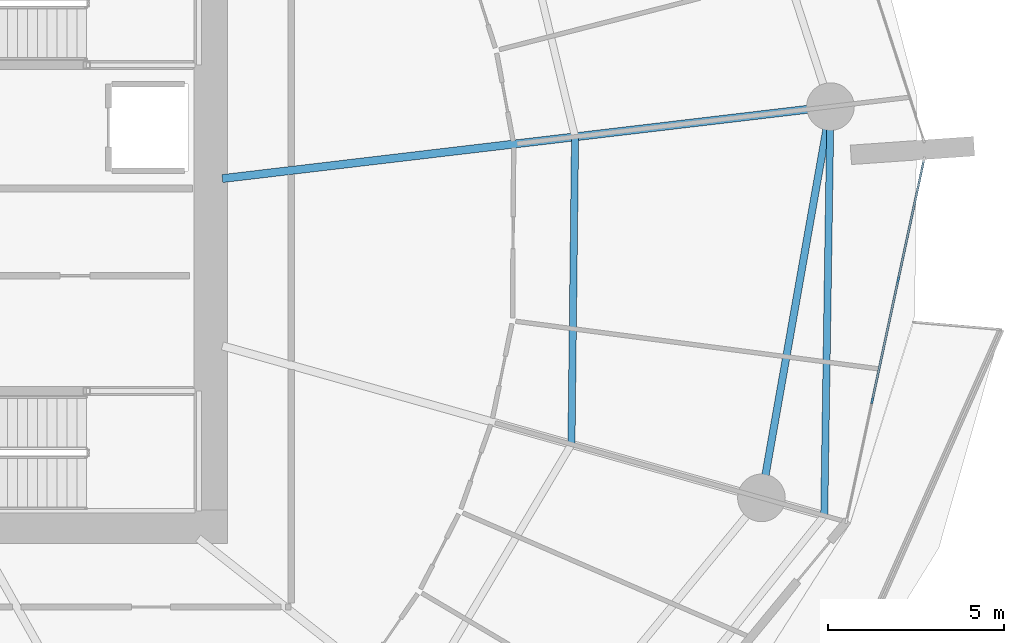
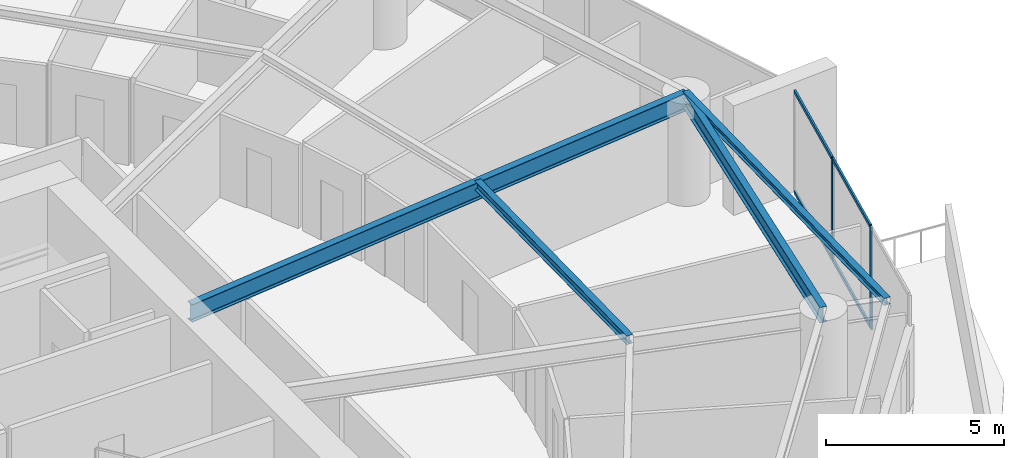
# One storey, part 11 of 31: 6 members, 4 beams, 1 element without a shape of its own.
"""IFC4 building model written with IfcOpenShell, lengths in metres."""

import ifcopenshell
import ifcopenshell.guid

model = None  # the IFC model being written
_history = None  # IfcOwnerHistory: only IFC2X3 demands one
_inside = {}  # id of a spatial element -> (the spatial element, [elements in it])
_under = {}  # id of a project, library or spatial element -> (it, [spatial elements below it])
_declared = {}  # id of a project -> (the project, [libraries it declares])
_typed = {}  # id of a type object -> (the type object, [elements of that type])
_made_of = {}  # id of a material, layer set ... -> (it, [elements and type objects made of it])


def new_model(schema):
    """Start an empty IFC model of exactly this schema.

    Asked for "IFC4X3", IfcOpenShell would pick the latest addendum, in which some entities
    have other attributes; the version numbers below select the first issue.
    IFC2X3 requires an IfcOwnerHistory on every rooted entity: one is made here for all.
    """
    global model, _history
    if schema == "IFC4X3":
        model = ifcopenshell.file(schema_version=(4, 3, 0, 0))
    else:
        model = ifcopenshell.file(schema=schema)
    _inside.clear()
    _under.clear()
    _declared.clear()
    _typed.clear()
    _made_of.clear()
    _history = None
    if model.schema == "IFC2X3":
        org = make("IfcOrganization", Name="unknown")
        user = make(
            "IfcPersonAndOrganization",
            ThePerson=make("IfcPerson", FamilyName="unknown"),
            TheOrganization=org,
        )
        app = make(
            "IfcApplication",
            ApplicationDeveloper=org,
            Version="unknown",
            ApplicationFullName="unknown",
            ApplicationIdentifier="unknown",
        )
        _history = make(
            "IfcOwnerHistory",
            OwningUser=user,
            OwningApplication=app,
            ChangeAction="ADDED",
            CreationDate=0,
        )
    return model


def make(cls, **values):
    """One entity of the class cls with the attributes given. An attribute that is None is left unset."""
    return model.create_entity(
        cls, **{name: value for name, value in values.items() if value is not None}
    )


def rooted(cls, **values):
    """An entity with a GlobalId (a new one), such as an element, a storey or a relation."""
    return make(cls, GlobalId=ifcopenshell.guid.new(), OwnerHistory=_history, **values)


def si_unit(unit_type, name, prefix=None):
    """IfcSIUnit, for example si_unit("LENGTHUNIT", "METRE", prefix="MILLI")."""
    return make("IfcSIUnit", UnitType=unit_type, Prefix=prefix, Name=name)


def assignment(units):
    """IfcUnitAssignment: the units of a project."""
    return None if units is None else make("IfcUnitAssignment", Units=units)


def point(xyz):
    """IfcCartesianPoint."""
    return None if xyz is None else make("IfcCartesianPoint", Coordinates=xyz)


def direction(xyz):
    """IfcDirection."""
    return None if xyz is None else make("IfcDirection", DirectionRatios=xyz)


def frame(location, z_axis=None, x_axis=None):
    """IfcAxis2Placement3D, a coordinate frame: its origin and axes. An axis left out is left unset."""
    return make(
        "IfcAxis2Placement3D",
        Location=point(location),
        Axis=direction(z_axis),
        RefDirection=direction(x_axis),
    )


def frame_2d(location, x_axis=None):
    """IfcAxis2Placement2D, a coordinate frame in the plane: its origin and x axis."""
    return make(
        "IfcAxis2Placement2D", Location=point(location), RefDirection=direction(x_axis)
    )


def origin():
    """The frame at (0, 0, 0) with its axes left unset."""
    return frame((0.0, 0.0, 0.0))


def origin_2d():
    """The frame at (0, 0) in the plane with its x axis left unset."""
    return frame_2d((0.0, 0.0))


def place(relative_to, where):
    """IfcLocalPlacement: puts the frame where relative to a parent placement (None: the world)."""
    return make(
        "IfcLocalPlacement", PlacementRelTo=relative_to, RelativePlacement=where
    )


def context(
    kind, dimensions, precision=None, world=None, true_north=None, identifier=None
):
    """IfcGeometricRepresentationContext, for example the 3D "Model" context."""
    return make(
        "IfcGeometricRepresentationContext",
        ContextIdentifier=identifier,
        ContextType=kind,
        CoordinateSpaceDimension=dimensions,
        Precision=precision,
        WorldCoordinateSystem=world,
        TrueNorth=true_north,
    )


def subcontext(parent, identifier, kind, view, scale=None):
    """IfcGeometricRepresentationSubContext, for example "Body" below "Model"."""
    return make(
        "IfcGeometricRepresentationSubContext",
        ContextIdentifier=identifier,
        ContextType=kind,
        ParentContext=parent,
        TargetScale=scale,
        TargetView=view,
    )


def project(units=None, contexts=None):
    """IfcProject with its units and contexts."""
    return rooted(
        "IfcProject",
        Name="project",
        RepresentationContexts=contexts,
        UnitsInContext=assignment(units),
    )


def spatial(cls, under=None, at=None, **own):
    """A site, building, storey or space (cls), placed at a placement, below another one or the project."""
    s = rooted(cls, ObjectPlacement=at, **own)
    if under is not None:
        _under.setdefault(under.id(), (under, []))[1].append(s)
    return s


def profile(cls, at=None, kind="AREA", **sizes):
    """A parametric profile (cls). Its sizes go by their IFC names, for example OverallWidth=200.0."""
    return make(cls, ProfileType=kind, Position=at, **sizes)


def rectangle(**sizes):
    """IfcRectangleProfileDef."""
    return profile("IfcRectangleProfileDef", **sizes)


def i_section(**sizes):
    """IfcIShapeProfileDef."""
    return profile("IfcIShapeProfileDef", **sizes)


def extrude(swept, where, along, depth):
    """IfcExtrudedAreaSolid: the profile swept, set in the frame where, extruded along a direction by depth."""
    return make(
        "IfcExtrudedAreaSolid",
        SweptArea=swept,
        Position=where,
        ExtrudedDirection=direction(along),
        Depth=depth,
    )


def shape(context_of_items, identifier, shape_type, items):
    """IfcShapeRepresentation: the items that make up one representation, for example the "Body"."""
    return make(
        "IfcShapeRepresentation",
        ContextOfItems=context_of_items,
        RepresentationIdentifier=identifier,
        RepresentationType=shape_type,
        Items=items,
    )


def material(Name=None, Category=None):
    """IfcMaterial."""
    return make("IfcMaterial", Name=Name, Category=Category)


def layer(
    of_material, thickness, ventilated=None, Name=None, Category=None, Priority=None
):
    """IfcMaterialLayer: one layer of a wall or slab, of a material (None: an air gap)."""
    return make(
        "IfcMaterialLayer",
        Material=of_material,
        LayerThickness=thickness,
        IsVentilated=ventilated,
        Name=Name,
        Category=Category,
        Priority=Priority,
    )


def layer_set(layers, Name=None):
    """IfcMaterialLayerSet."""
    return make("IfcMaterialLayerSet", MaterialLayers=layers, LayerSetName=Name)


def material_profile(
    of_material, cross_section, Name=None, Category=None, Priority=None
):
    """IfcMaterialProfile: a cross section and its material."""
    return make(
        "IfcMaterialProfile",
        Name=Name,
        Material=of_material,
        Profile=cross_section,
        Priority=Priority,
        Category=Category,
    )


def profile_set(profiles, Name=None, composite=None):
    """IfcMaterialProfileSet."""
    return make(
        "IfcMaterialProfileSet",
        Name=Name,
        MaterialProfiles=profiles,
        CompositeProfile=composite,
    )


def made_of(thing, what):
    """Note that an element or type object is made of a material, layer set ...; save() writes the relation."""
    if what is not None:
        _made_of.setdefault(what.id(), (what, []))[1].append(thing)
    return thing


def type_object(cls, material=None, **own):
    """A type object (cls), such as IfcWallType, which elements share."""
    return made_of(rooted(cls, **own), material)


def element(
    cls,
    number,
    at=None,
    inside=None,
    cuts=None,
    type_object=None,
    material=None,
    context=None,
    identifier="Body",
    shape_type=None,
    held_by="IfcProductDefinitionShape",
    body=None,
    shapes=None,
    **own,
):
    """One element of the class cls, such as IfcWall. Its Tag is "e" and its number.

    at: its placement. inside: the storey or other place that contains it. cuts: it is an
    opening in that element (IfcRelVoidsElement). A single representation is given by context,
    identifier, shape_type and body (its items); several are given by shapes. held_by: the class
    of the entity that holds the representations. save() writes the other relations.
    """
    e = rooted(cls, Tag="e%d" % number, ObjectPlacement=at, **own)
    if body is not None:
        shapes = [shape(context, identifier, shape_type, body)]
    if shapes is not None:
        e.Representation = make(held_by, Representations=shapes)
    if inside is not None:
        _inside.setdefault(inside.id(), (inside, []))[1].append(e)
    if cuts is not None:
        rooted(
            "IfcRelVoidsElement", RelatingBuildingElement=cuts, RelatedOpeningElement=e
        )
    if type_object is not None:
        _typed.setdefault(type_object.id(), (type_object, []))[1].append(e)
    return made_of(e, material)


def aggregate(whole, parts):
    """IfcRelAggregates: a whole, such as a stair, and the parts it consists of."""
    return rooted("IfcRelAggregates", RelatingObject=whole, RelatedObjects=parts)


def save(model, path):
    """Write the relations noted so far, then the file.

    IfcRelAggregates (storeys below a building ...), IfcRelContainedInSpatialStructure (elements
    in a storey), IfcRelDefinesByType, IfcRelAssociatesMaterial and IfcRelDeclares: one each for
    every whole, place, type object, material and project.
    """
    for whole, parts in _under.values():
        aggregate(whole, parts)
    for where, things in _inside.values():
        rooted(
            "IfcRelContainedInSpatialStructure",
            RelatedElements=things,
            RelatingStructure=where,
        )
    for kind, things in _typed.values():
        rooted("IfcRelDefinesByType", RelatedObjects=things, RelatingType=kind)
    for what, things in _made_of.values():
        rooted("IfcRelAssociatesMaterial", RelatedObjects=things, RelatingMaterial=what)
    for by, libraries in _declared.values():
        rooted("IfcRelDeclares", RelatingContext=by, RelatedDefinitions=libraries)
    model.write(path)


model = new_model("IFC4")

# Units and contexts
model_context = context("Model", 3, precision=1e-05, world=origin(), true_north=direction((0.0, 1.0)))
body_context = subcontext(model_context, "Body", "Model", "MODEL_VIEW")
ifc_project = project(units=[si_unit("LENGTHUNIT", "METRE"), si_unit("AREAUNIT", "SQUARE_METRE"), si_unit("VOLUMEUNIT", "CUBIC_METRE"), si_unit("PLANEANGLEUNIT", "RADIAN"), si_unit("MASSUNIT", "GRAM", prefix="KILO")], contexts=[model_context])

# Site, building, storey
site_placement = place(None, origin())
site = spatial("IfcSite", under=ifc_project, at=site_placement, CompositionType="ELEMENT")
building_placement = place(site_placement, origin())
building = spatial("IfcBuilding", under=site, at=building_placement, Name="Kazma Halo Residences", CompositionType="ELEMENT")
storey_placement = place(building_placement, frame((0.0, 0.0, 30.14990234375)))
storey = spatial("IfcBuildingStorey", under=building, at=storey_placement, Name="L06", CompositionType="ELEMENT", Elevation=30.14990234375)

# Beams
ifc_material_1 = material(Name="Steel S355", Category="steel")
ifc_material_profile_1 = material_profile(ifc_material_1, i_section(OverallWidth=0.201904296875, OverallDepth=0.2470703125, WebThickness=0.00732421875, FlangeThickness=0.010986328125, FilletRadius=0.011962890625, at=origin_2d()), Name="W250x49.1")
ifc_profile_set_1 = profile_set([ifc_material_profile_1], Name="Steel S355")
beam_type_1 = type_object("IfcBeamType", Name="BM-BAL-CANT", PredefinedType="BEAM", material=ifc_profile_set_1)
beam_1_placement = place(storey_placement, frame((76.92138671875, 33.84326171875, 3.376708984375), z_axis=(0.015213846033, 0.999884262747, 0.0), x_axis=(-0.999884262747, 0.015213846033, 0.0)))
element("IfcBeam", 1, at=beam_1_placement, inside=storey, type_object=beam_type_1, Name="L06 wave-balcony tie beam 15", PredefinedType="BEAM", context=body_context, shape_type="SweptSolid", body=[
    extrude(i_section(OverallWidth=0.201904296875, OverallDepth=0.2470703125, WebThickness=0.00732421875, FlangeThickness=0.010986328125, FilletRadius=0.011962890625, at=origin_2d()), origin(), (0.0, 0.0, 1.0), 11.602294921875),
])
ifc_material_profile_2 = material_profile(ifc_material_1, i_section(OverallWidth=0.22802734375, OverallDepth=0.60791015625, WebThickness=0.01123046875, FlangeThickness=0.017333984375, FilletRadius=0.01806640625, at=origin_2d()), Name="W610x113")
ifc_profile_set_2 = profile_set([ifc_material_profile_2], Name="Steel S355")
beam_type_2 = type_object("IfcBeamType", Name="BM-RAD-W610", PredefinedType="BEAM", material=ifc_profile_set_2)
beam_2_placement = place(storey_placement, frame((59.85009765625, 43.402587890625, 3.196044921875), z_axis=(0.993067839154, 0.117542617111, 0.0), x_axis=(-0.117542617111, 0.993067839154, 0.0)))
element("IfcBeam", 2, at=beam_2_placement, inside=storey, type_object=beam_type_2, Name="L06 radial floor beam 16", PredefinedType="BEAM", context=body_context, shape_type="SweptSolid", body=[
    extrude(i_section(OverallWidth=0.22802734375, OverallDepth=0.60791015625, WebThickness=0.01123046875, FlangeThickness=0.017333984375, FilletRadius=0.01806640625, at=origin_2d()), origin(), (0.0, 0.0, 1.0), 17.3681640625),
])
ifc_material_profile_3 = material_profile(ifc_material_1, i_section(OverallWidth=0.202880859375, OverallDepth=0.302978515625, WebThickness=0.007568359375, FlangeThickness=0.01318359375, FilletRadius=0.013916015625, at=origin_2d()), Name="W310x60")
ifc_profile_set_3 = profile_set([ifc_material_profile_3], Name="Steel S355")
beam_type_3 = type_object("IfcBeamType", Name="BM-SEC-W310A", PredefinedType="JOIST", material=ifc_profile_set_3)
beam_3_placement = place(storey_placement, frame((69.75146484375, 35.865478515625, 3.3486328125), z_axis=(0.011728659646, 0.999931216906, 0.0), x_axis=(-0.999931216906, 0.011728659646, 0.0)))
element("IfcBeam", 3, at=beam_3_placement, inside=storey, type_object=beam_type_3, Name="L06 circumferential floor joist 15", PredefinedType="JOIST", context=body_context, shape_type="SweptSolid", body=[
    extrude(i_section(OverallWidth=0.202880859375, OverallDepth=0.302978515625, WebThickness=0.007568359375, FlangeThickness=0.01318359375, FilletRadius=0.013916015625, at=origin_2d()), origin(), (0.0, 0.0, 1.0), 8.7216796875),
])
ifc_material_profile_4 = material_profile(ifc_material_1, i_section(OverallWidth=0.208984375, OverallDepth=0.532958984375, WebThickness=0.01025390625, FlangeThickness=0.015625, FilletRadius=0.01611328125, at=origin_2d()), Name="W530x92")
ifc_profile_set_4 = profile_set([ifc_material_profile_4], Name="Steel S355")
beam_type_4 = type_object("IfcBeamType", Name="BM-SPN-W530", PredefinedType="BEAM", material=ifc_profile_set_4)
beam_4_placement = place(storey_placement, frame((75.140869140625, 34.345458984375, 3.233642578125), z_axis=(0.173651864005, 0.984807103004, 0.0), x_axis=(-0.984807103004, 0.173651864005, 0.0)))
element("IfcBeam", 4, at=beam_4_placement, inside=storey, type_object=beam_type_4, Name="L06 perimeter ring beam 15", PredefinedType="BEAM", context=body_context, shape_type="SweptSolid", body=[
    extrude(i_section(OverallWidth=0.208984375, OverallDepth=0.532958984375, WebThickness=0.01025390625, FlangeThickness=0.015625, FilletRadius=0.01611328125, at=origin_2d()), origin(), (0.0, 0.0, 1.0), 11.269775390625),
])

# Curtain wall, members
ifc_material_2 = material(Name="Aluminium AW-6063 T6 and Triple-Silver Low-E Glass", Category="aluminium")
ifc_layer = layer(ifc_material_2, 0.159912109375)
ifc_layer_set = layer_set([ifc_layer], Name="Aluminium AW-6063 T6 and Triple-Silver Low-E Glass")
curtain_wall_type = type_object("IfcCurtainWallType", Name="CW-SYS-2", PredefinedType="NOTDEFINED", material=ifc_layer_set)
curtain_wall_placement = place(storey_placement, origin())
curtain_wall = element("IfcCurtainWall", 5, at=curtain_wall_placement, inside=storey, type_object=curtain_wall_type, Name="L06 unitised curtain wall B15", PredefinedType="NOTDEFINED")
ifc_material_3 = material(Name="Aluminium AW-6063 T6", Category="aluminium")
ifc_material_profile_5 = material_profile(ifc_material_3, rectangle(XDim=0.06005859375, YDim=0.159912109375, at=origin_2d()), Name="CWM-60x160")
ifc_profile_set_5 = profile_set([ifc_material_profile_5], Name="Aluminium AW-6063 T6")
member_type_1 = type_object("IfcMemberType", Name="CW-SYS-2-MUL", PredefinedType="MULLION", material=ifc_profile_set_5)
member_1_placement = place(storey_placement, frame((78.282958984375, 37.101318359375, 0.0), z_axis=(0.0, 0.0, 1.0), x_axis=(-0.977779215096, 0.209637321406, 0.0)))
member_1 = element("IfcMember", 6, at=member_1_placement, type_object=member_type_1, Name="CWS-2 mullion 2", PredefinedType="MULLION", context=body_context, shape_type="SweptSolid", body=[
    extrude(rectangle(XDim=0.06005859375, YDim=0.159912109375, at=origin_2d()), origin(), (0.0, 0.0, 1.0), 3.5),
])
member_2_placement = place(storey_placement, frame((79.019287109375, 40.53564453125, 0.0), z_axis=(0.0, 0.0, 1.0), x_axis=(-0.977779215096, 0.209637321406, 0.0)))
member_2 = element("IfcMember", 7, at=member_2_placement, type_object=member_type_1, Name="CWS-2 mullion 3", PredefinedType="MULLION", context=body_context, shape_type="SweptSolid", body=[
    extrude(rectangle(XDim=0.06005859375, YDim=0.159912109375, at=origin_2d()), origin(), (0.0, 0.0, 1.0), 3.5),
])
ifc_material_profile_6 = material_profile(ifc_material_3, rectangle(XDim=0.06005859375, YDim=0.1201171875, at=origin_2d()), Name="CWT-60x120")
ifc_profile_set_6 = profile_set([ifc_material_profile_6], Name="Aluminium AW-6063 T6")
member_type_2 = type_object("IfcMemberType", Name="CW-SYS-2-TRN", PredefinedType="USERDEFINED", material=ifc_profile_set_6)
member_3_placement = place(storey_placement, frame((78.289306640625, 37.130615234375, 0.030029296875), z_axis=(0.209669136217, 0.977772393412, 0.0), x_axis=(-0.977772393412, 0.209669136217, 0.0)))
member_3 = element("IfcMember", 8, at=member_3_placement, type_object=member_type_2, Name="CWS-2 transom 2.1", ObjectType="TRANSOM", PredefinedType="USERDEFINED", context=body_context, shape_type="SweptSolid", body=[
    extrude(rectangle(XDim=0.06005859375, YDim=0.1201171875, at=origin_2d()), origin(), (0.0, 0.0, 1.0), 3.452392578125),
])
member_4_placement = place(storey_placement, frame((78.289306640625, 37.130615234375, 3.47021484375), z_axis=(0.209669136217, 0.977772393412, 0.0), x_axis=(-0.977772393412, 0.209669136217, 0.0)))
member_4 = element("IfcMember", 9, at=member_4_placement, type_object=member_type_2, Name="CWS-2 transom 2.2", ObjectType="TRANSOM", PredefinedType="USERDEFINED", context=body_context, shape_type="SweptSolid", body=[
    extrude(rectangle(XDim=0.06005859375, YDim=0.1201171875, at=origin_2d()), origin(), (0.0, 0.0, 1.0), 3.452392578125),
])
member_5_placement = place(storey_placement, frame((79.025634765625, 40.565185546875, 0.030029296875), z_axis=(0.209665500897, 0.977773172946, 0.0), x_axis=(-0.977773172946, 0.209665500897, 0.0)))
member_5 = element("IfcMember", 10, at=member_5_placement, type_object=member_type_2, Name="CWS-2 transom 3.1", ObjectType="TRANSOM", PredefinedType="USERDEFINED", context=body_context, shape_type="SweptSolid", body=[
    extrude(rectangle(XDim=0.06005859375, YDim=0.1201171875, at=origin_2d()), origin(), (0.0, 0.0, 1.0), 3.42236328125),
])
member_6_placement = place(storey_placement, frame((79.025634765625, 40.565185546875, 3.47021484375), z_axis=(0.209665500897, 0.977773172946, 0.0), x_axis=(-0.977773172946, 0.209665500897, 0.0)))
member_6 = element("IfcMember", 11, at=member_6_placement, type_object=member_type_2, Name="CWS-2 transom 3.2", ObjectType="TRANSOM", PredefinedType="USERDEFINED", context=body_context, shape_type="SweptSolid", body=[
    extrude(rectangle(XDim=0.06005859375, YDim=0.1201171875, at=origin_2d()), origin(), (0.0, 0.0, 1.0), 3.42236328125),
])
aggregate(curtain_wall, [member_1, member_2, member_3, member_4, member_5, member_6])

save(model, "model.ifc")
